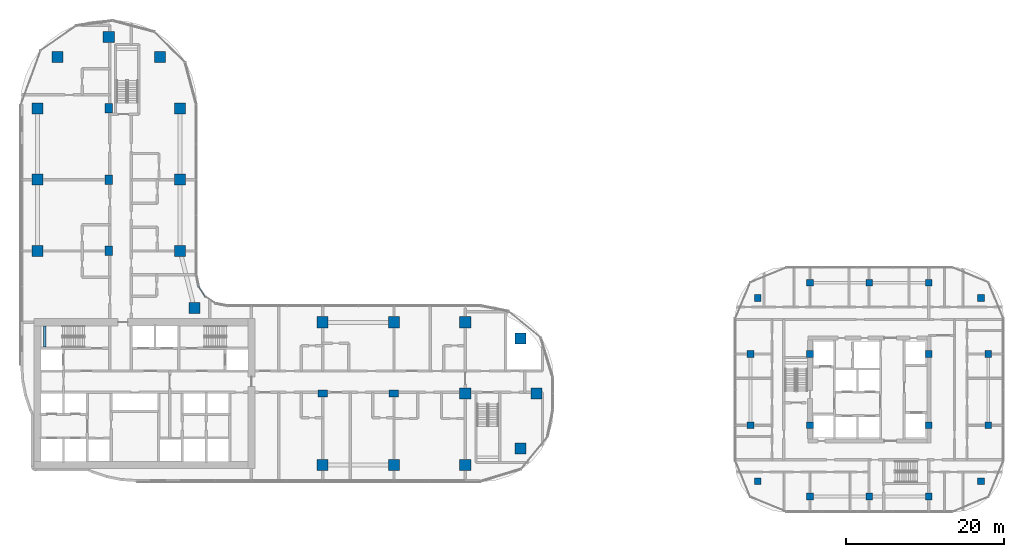
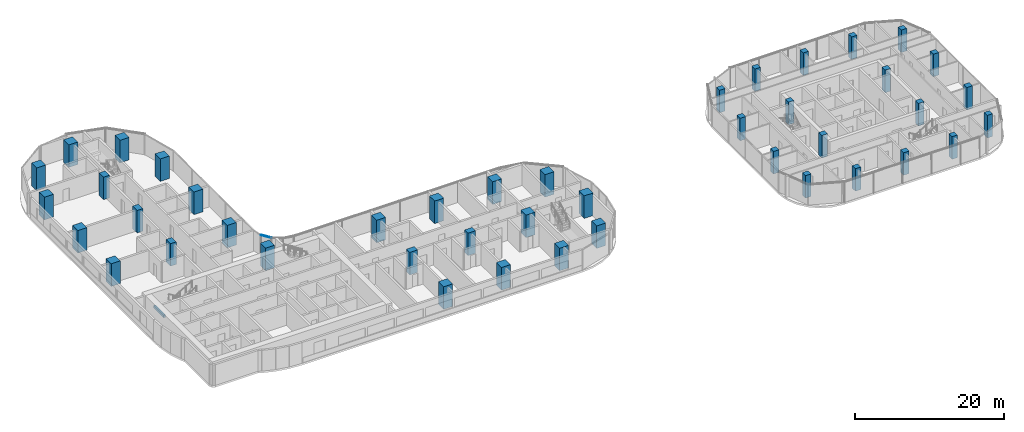
# One storey, part 1 of 32: 43 columns, 1 beam, 1 member, 1 element without a shape of its own.
"""IFC4 building model written with IfcOpenShell, lengths in metres."""

from ifc_helpers import new_model, si_unit, direction, frame, origin, origin_2d, place, context, subcontext, project, spatial, rectangle, extrude, material, material_profile, profile_set, type_object, element, aggregate, save


model = new_model("IFC4")

# Units and contexts
model_context = context("Model", 3, precision=1e-05, world=origin(), true_north=direction((0.0, 1.0)))
body_context = subcontext(model_context, "Body", "Model", "MODEL_VIEW")
ifc_project = project(units=[si_unit("LENGTHUNIT", "METRE"), si_unit("AREAUNIT", "SQUARE_METRE"), si_unit("VOLUMEUNIT", "CUBIC_METRE"), si_unit("PLANEANGLEUNIT", "RADIAN"), si_unit("MASSUNIT", "GRAM", prefix="KILO")], contexts=[model_context])

# Site, building, storey
site_placement = place(None, origin())
site = spatial("IfcSite", under=ifc_project, at=site_placement, CompositionType="ELEMENT")
building_placement = place(site_placement, origin())
building = spatial("IfcBuilding", under=site, at=building_placement, Name="Ogive Portal Towers", CompositionType="ELEMENT")
storey_placement = place(building_placement, frame((0.0, 0.0, 59.39990234375)))
storey = spatial("IfcBuildingStorey", under=building, at=storey_placement, Name="L13", CompositionType="ELEMENT", Elevation=59.39990234375)

# Columns
ifc_material_1 = material(Name="Concrete C60/75", Category="concrete")
ifc_material_profile_1 = material_profile(ifc_material_1, rectangle(XDim=1.199951171875, YDim=0.89990234375, at=origin_2d()), Name="RC 1200x900")
ifc_profile_set_1 = profile_set([ifc_material_profile_1], Name="Concrete C60/75")
column_type_1 = type_object("IfcColumnType", Name="COLUMN RC 1200x900", PredefinedType="COLUMN", material=ifc_profile_set_1)
for number, where, z_axis, x_axis, name in (
    (1, (67.5, 30.5, 0.0), (0.0, 0.0, 1.0), (1.0, 0.0, 0.0), "Column 5/B L13"),
    (2, (76.5, 30.5, 0.0), (0.0, 0.0, 1.0), (1.0, 0.0, 0.0), "Column 6/B L13"),
    (3, (40.5, 48.5, 0.0), (0.0, 0.0, 1.0), (0.0, 1.0, 0.0), "Column 2/D L13"),
    (4, (40.5, 57.5, 0.0), (0.0, 0.0, 1.0), (0.0, 1.0, 0.0), "Column 2/E L13"),
    (5, (40.5, 66.5, 0.0), (0.0, 0.0, 1.0), (0.0, 1.0, 0.0), "Column 2/F L13"),
):
    element("IfcColumn", number, at=place(storey_placement, frame(where, z_axis=z_axis, x_axis=x_axis)), inside=storey, type_object=column_type_1, Name=name, PredefinedType="COLUMN", context=body_context, shape_type="SweptSolid", body=[
        extrude(rectangle(XDim=1.199951171875, YDim=0.89990234375, at=origin_2d()), origin(), (0.0, 0.0, 1.0), 3.7001953125),
    ])
ifc_material_profile_2 = material_profile(ifc_material_1, rectangle(XDim=1.39990234375, YDim=1.39990234375, at=origin_2d()), Name="RC 1400x1400")
ifc_profile_set_2 = profile_set([ifc_material_profile_2], Name="Concrete C60/75")
column_type_2 = type_object("IfcColumnType", Name="COLUMN RC 1400x1400", PredefinedType="COLUMN", material=ifc_profile_set_2)
for number, where, z_axis, x_axis, name in (
    (6, (67.5, 21.5, 0.0), (0.0, 0.0, 1.0), (1.0, 0.0, 0.0), "Column 5/A L13"),
    (7, (76.5, 21.5, 0.0), (0.0, 0.0, 1.0), (1.0, 0.0, 0.0), "Column 6/A L13"),
    (8, (85.5, 21.5, 0.0), (0.0, 0.0, 1.0), (1.0, 0.0, 0.0), "Column 7/A L13"),
    (9, (92.449951171875, 23.550048828125, 0.0), (0.0, 0.0, 1.0), (1.0, 0.0, 0.0), "Column L13"),
    (10, (85.5, 30.5, 0.0), (0.0, 0.0, 1.0), (1.0, 0.0, 0.0), "Column 7/B L13"),
    (11, (94.5, 30.5, 0.0), (0.0, 0.0, 1.0), (1.0, 0.0, 0.0), "Column 8/B L13"),
    (12, (92.449951171875, 37.449951171875, 0.0), (0.0, 0.0, 1.0), (1.0, 0.0, 0.0), "Column L13"),
    (13, (67.5, 39.5, 0.0), (0.0, 0.0, 1.0), (1.0, 0.0, 0.0), "Column 5/C L13"),
    (14, (76.5, 39.5, 0.0), (0.0, 0.0, 1.0), (1.0, 0.0, 0.0), "Column 6/C L13"),
    (15, (85.5, 39.5, 0.0), (0.0, 0.0, 1.0), (1.0, 0.0, 0.0), "Column 7/C L13"),
    (16, (51.31005859375, 41.31005859375, 0.0), (0.0, 0.0, 1.0), (1.0, 0.0, 0.0), "Column L13"),
    (17, (31.5, 48.5, 0.0), (0.0, 0.0, 1.0), (1.0, 0.0, 0.0), "Column 1/D L13"),
    (18, (49.5, 48.5, 0.0), (0.0, 0.0, 1.0), (1.0, 0.0, 0.0), "Column 3/D L13"),
    (19, (31.5, 57.5, 0.0), (0.0, 0.0, 1.0), (1.0, 0.0, 0.0), "Column 1/E L13"),
    (20, (49.5, 57.5, 0.0), (0.0, 0.0, 1.0), (1.0, 0.0, 0.0), "Column 3/E L13"),
    (21, (31.5, 66.5, 0.0), (0.0, 0.0, 1.0), (1.0, 0.0, 0.0), "Column 1/F L13"),
    (22, (49.5, 66.5, 0.0), (0.0, 0.0, 1.0), (1.0, 0.0, 0.0), "Column 3/F L13"),
    (23, (34.027099609375, 72.972900390625, 0.0), (0.0, 0.0, 1.0), (1.0, 0.0, 0.0), "Column L13"),
    (24, (46.972900390625, 72.972900390625, 0.0), (0.0, 0.0, 1.0), (1.0, 0.0, 0.0), "Column L13"),
    (25, (40.5, 75.5, 0.0), (0.0, 0.0, 1.0), (1.0, 0.0, 0.0), "Column 2/G L13"),
):
    element("IfcColumn", number, at=place(storey_placement, frame(where, z_axis=z_axis, x_axis=x_axis)), inside=storey, type_object=column_type_2, Name=name, PredefinedType="COLUMN", context=body_context, shape_type="SweptSolid", body=[
        extrude(rectangle(XDim=1.39990234375, YDim=1.39990234375, at=origin_2d()), origin(), (0.0, 0.0, 1.0), 3.7001953125),
    ])
ifc_material_2 = material(Name="Concrete C50/60", Category="concrete")
ifc_material_profile_3 = material_profile(ifc_material_2, rectangle(XDim=0.85009765625, YDim=0.85009765625, at=origin_2d()), Name="RC 850x850")
ifc_profile_set_3 = profile_set([ifc_material_profile_3], Name="Concrete C50/60")
column_type_3 = type_object("IfcColumnType", Name="COLUMN RC 850x850", PredefinedType="COLUMN", material=ifc_profile_set_3)
for number, where, z_axis, x_axis, name in (
    (26, (129.0, 17.5, 0.0), (0.0, 0.0, 1.0), (1.0, 0.0, 0.0), "Column 12/H L13"),
    (27, (136.5, 17.5, 0.0), (0.0, 0.0, 1.0), (1.0, 0.0, 0.0), "Column 13/H L13"),
    (28, (144.0, 17.5, 0.0), (0.0, 0.0, 1.0), (1.0, 0.0, 0.0), "Column 14/H L13"),
    (29, (122.40087890625, 19.44189453125, 0.0), (0.0, 0.0, 1.0), (1.0, 0.0, 0.0), "Column L13"),
    (30, (150.59912109375, 19.44189453125, 0.0), (0.0, 0.0, 1.0), (1.0, 0.0, 0.0), "Column L13"),
    (31, (121.5, 26.5, 0.0), (0.0, 0.0, 1.0), (1.0, 0.0, 0.0), "Column 11/J L13"),
    (32, (129.0, 26.5, 0.0), (0.0, 0.0, 1.0), (1.0, 0.0, 0.0), "Column 12/J L13"),
    (33, (144.0, 26.5, 0.0), (0.0, 0.0, 1.0), (1.0, 0.0, 0.0), "Column 14/J L13"),
    (34, (151.5, 26.5, 0.0), (0.0, 0.0, 1.0), (1.0, 0.0, 0.0), "Column 15/J L13"),
    (35, (121.5, 35.5, 0.0), (0.0, 0.0, 1.0), (1.0, 0.0, 0.0), "Column 11/K L13"),
    (36, (129.0, 35.5, 0.0), (0.0, 0.0, 1.0), (1.0, 0.0, 0.0), "Column 12/K L13"),
    (37, (144.0, 35.5, 0.0), (0.0, 0.0, 1.0), (1.0, 0.0, 0.0), "Column 14/K L13"),
    (38, (151.5, 35.5, 0.0), (0.0, 0.0, 1.0), (1.0, 0.0, 0.0), "Column 15/K L13"),
    (39, (122.40087890625, 42.55810546875, 0.0), (0.0, 0.0, 1.0), (1.0, 0.0, 0.0), "Column L13"),
    (40, (150.59912109375, 42.55810546875, 0.0), (0.0, 0.0, 1.0), (1.0, 0.0, 0.0), "Column L13"),
    (41, (129.0, 44.5, 0.0), (0.0, 0.0, 1.0), (1.0, 0.0, 0.0), "Column 12/L L13"),
    (42, (136.5, 44.5, 0.0), (0.0, 0.0, 1.0), (1.0, 0.0, 0.0), "Column 13/L L13"),
    (43, (144.0, 44.5, 0.0), (0.0, 0.0, 1.0), (1.0, 0.0, 0.0), "Column 14/L L13"),
):
    element("IfcColumn", number, at=place(storey_placement, frame(where, z_axis=z_axis, x_axis=x_axis)), inside=storey, type_object=column_type_3, Name=name, PredefinedType="COLUMN", context=body_context, shape_type="SweptSolid", body=[
        extrude(rectangle(XDim=0.85009765625, YDim=0.85009765625, at=origin_2d()), origin(), (0.0, 0.0, 1.0), 3.7001953125),
    ])

# Beam
ifc_material_3 = material(Name="Concrete C40/50", Category="concrete")
ifc_material_profile_4 = material_profile(ifc_material_3, rectangle(XDim=0.300048828125, YDim=0.39990234375, at=origin_2d()), Name="RC 300x400")
ifc_profile_set_4 = profile_set([ifc_material_profile_4], Name="Concrete C40/50")
beam_type = type_object("IfcBeamType", Name="BEAM RC 300x400", PredefinedType="BEAM", material=ifc_profile_set_4)
beam_placement = place(storey_placement, frame((32.449951171875, 36.35009765625, 1.4501953125), z_axis=(0.0, 1.0, 0.0), x_axis=(-1.0, 0.0, 0.0)))
element("IfcBeam", 44, at=beam_placement, inside=storey, type_object=beam_type, Name="Landing beam L13", PredefinedType="BEAM", context=body_context, shape_type="SweptSolid", body=[
    extrude(rectangle(XDim=0.300048828125, YDim=0.39990234375, at=origin_2d()), origin(), (0.0, 0.0, 1.0), 2.699951171875),
])

# Curtain wall, member
ifc_material_4 = material(Name="Glass, clear low-iron insulated glazing", Category="glass")
curtain_wall_type = type_object("IfcCurtainWallType", Name="CW FRONT RIBBON 4500", PredefinedType="NOTDEFINED", material=ifc_material_4)
curtain_wall_placement = place(storey_placement, origin())
curtain_wall = element("IfcCurtainWall", 45, at=curtain_wall_placement, inside=storey, type_object=curtain_wall_type, Name="A:L13:f17:cwa", PredefinedType="NOTDEFINED")
ifc_material_5 = material(Name="Aluminium 6063 anodised", Category="aluminium")
ifc_material_profile_5 = material_profile(ifc_material_5, rectangle(XDim=0.1201171875, YDim=0.06005859375, at=origin_2d()), Name="AL 120x60")
ifc_profile_set_5 = profile_set([ifc_material_profile_5], Name="Aluminium 6063 anodised")
member_type = type_object("IfcMemberType", Name="CW TRANSOM 60x120", PredefinedType="USERDEFINED", material=ifc_profile_set_5)
member_placement = place(storey_placement, frame((52.71630859375, 42.71630859375, 3.3701171875), z_axis=(-0.555470171417, 0.831536462619, 0.0), x_axis=(-0.831536462619, -0.555470171417, 0.0)))
member = element("IfcMember", 46, at=member_placement, type_object=member_type, Name="transom", ObjectType="TRANSOM", PredefinedType="USERDEFINED", context=body_context, shape_type="SweptSolid", body=[
    extrude(rectangle(XDim=0.1201171875, YDim=0.06005859375, at=origin_2d()), origin(), (0.0, 0.0, 1.0), 1.5361328125),
])
aggregate(curtain_wall, [member])

save(model, "model.ifc")
